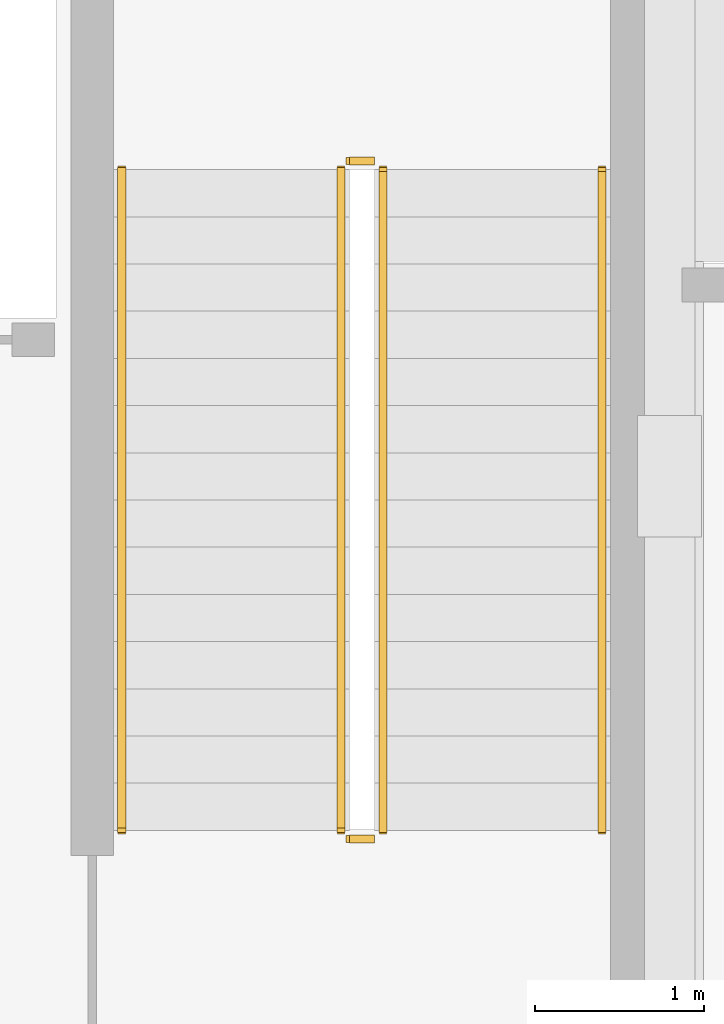
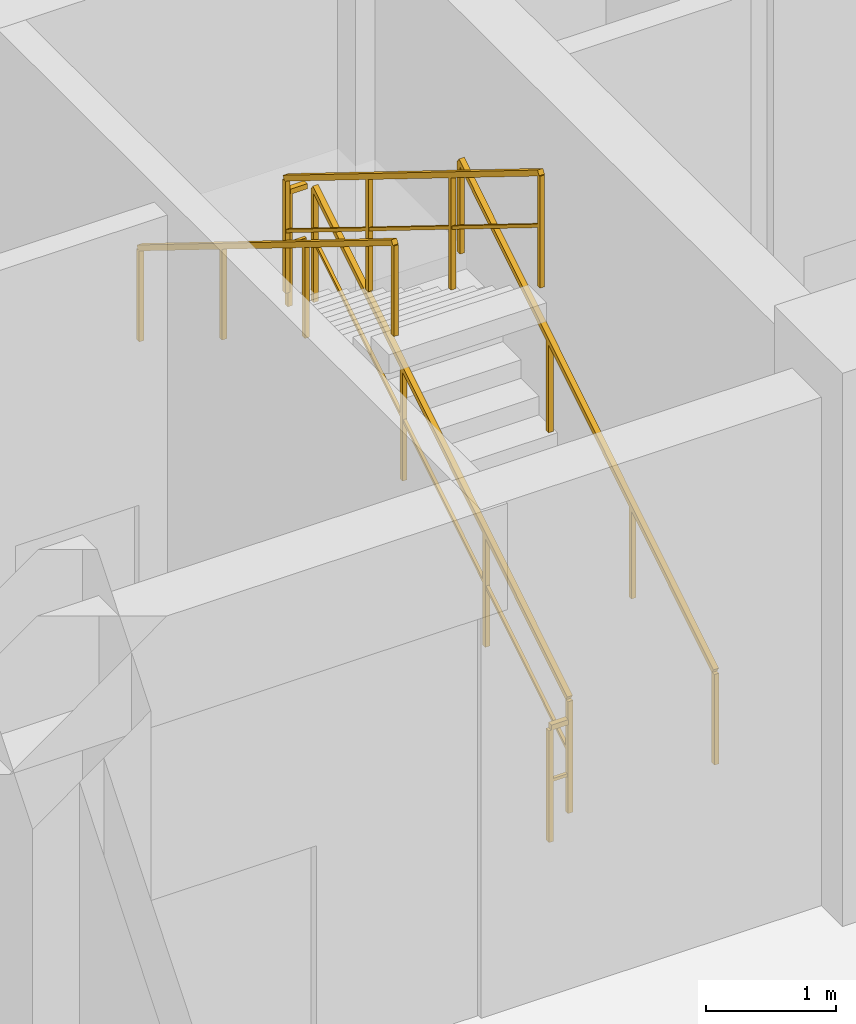
# One storey, part 8 of 10: 6 railings.
"""IFC4 building model written with IfcOpenShell, lengths in metres."""

from ifc_helpers import new_model, si_unit, direction, frame, origin, origin_2d, place, context, subcontext, project, spatial, rectangle, extrude, material, type_object, element, save


model = new_model("IFC4")

# Units and contexts
model_context = context("Model", 3, precision=1e-05, world=origin(), true_north=direction((0.0, 1.0)))
body_context = subcontext(model_context, "Body", "Model", "MODEL_VIEW")
ifc_project = project(units=[si_unit("LENGTHUNIT", "METRE"), si_unit("AREAUNIT", "SQUARE_METRE"), si_unit("VOLUMEUNIT", "CUBIC_METRE"), si_unit("PLANEANGLEUNIT", "RADIAN"), si_unit("MASSUNIT", "GRAM", prefix="KILO")], contexts=[model_context])

# Site, building, storey
site_placement = place(None, origin())
site = spatial("IfcSite", under=ifc_project, at=site_placement, CompositionType="ELEMENT")
building_placement = place(site_placement, origin())
building = spatial("IfcBuilding", under=site, at=building_placement, Name="Kaliganga Portal Commons", CompositionType="ELEMENT")
storey_placement = place(building_placement, frame((0.0, 0.0, 192.0)))
storey = spatial("IfcBuildingStorey", under=building, at=storey_placement, Name="L49", CompositionType="ELEMENT", Elevation=192.0)

# Railings
ifc_material_1 = material(Name="Galvanized Painted Steel Balustrade", Category="steel")
railing_type_1 = type_object("IfcRailingType", Name="RLG-STAIR-GRD", PredefinedType="GUARDRAIL", material=ifc_material_1)
railing_1_placement = place(storey_placement, frame((48.699951171875, 8.699951171875, 0.17333984375)))
element("IfcRailing", 1, at=railing_1_placement, inside=storey, type_object=railing_type_1, Name="L49 ST-B2 stair guard 1", PredefinedType="GUARDRAIL", context=body_context, shape_type="SweptSolid", body=[
    extrude(rectangle(XDim=0.048095703125, YDim=0.048095703125, at=origin_2d()), frame((0.0, 0.0, 1.07177734375), z_axis=(0.0, 0.850266275192, 0.526352791643), x_axis=(-1.0, 0.0, 0.0)), (0.0, 0.0, 1.0), 4.610595703125),
    extrude(rectangle(XDim=0.028076171875, YDim=0.028076171875, at=origin_2d()), frame((0.0, 0.0, 0.572021484375), z_axis=(0.0, 0.850266275192, 0.526352791643), x_axis=(-1.0, 0.0, 0.0)), (0.0, 0.0, 1.0), 4.610595703125),
    extrude(rectangle(XDim=0.0419921875, YDim=0.0419921875, at=origin_2d()), origin(), (0.0, 0.0, 1.0), 1.052001953125),
    extrude(rectangle(XDim=0.0419921875, YDim=0.0419921875, at=origin_2d()), frame((0.0, 1.275390625, 0.78955078125)), (0.0, 0.0, 1.0), 1.052001953125),
    extrude(rectangle(XDim=0.0419921875, YDim=0.0419921875, at=origin_2d()), frame((0.0, 2.55078125, 1.5791015625)), (0.0, 0.0, 1.0), 1.052001953125),
    extrude(rectangle(XDim=0.0419921875, YDim=0.0419921875, at=origin_2d()), frame((0.0, 3.920166015625, 2.4267578125)), (0.0, 0.0, 1.0), 1.052001953125),
])
railing_2_placement = place(storey_placement, frame((48.64990234375, 12.669921875, 2.60009765625)))
element("IfcRailing", 2, at=railing_2_placement, inside=storey, type_object=railing_type_1, Name="L49 ST-B2 stair guard 2", PredefinedType="GUARDRAIL", context=body_context, shape_type="SweptSolid", body=[
    extrude(rectangle(XDim=0.048095703125, YDim=0.048095703125, at=origin_2d()), frame((0.0, 0.0, 1.076171875), z_axis=(-1.0, 0.0, 0.0), x_axis=(0.0, -1.0, 0.0)), (0.0, 0.0, 1.0), 0.14990234375),
    extrude(rectangle(XDim=0.028076171875, YDim=0.028076171875, at=origin_2d()), frame((0.0, 0.0, 0.572021484375), z_axis=(-1.0, 0.0, 0.0), x_axis=(0.0, -1.0, 0.0)), (0.0, 0.0, 1.0), 0.14990234375),
    extrude(rectangle(XDim=0.0419921875, YDim=0.0419921875, at=origin_2d()), frame((-0.14990234375, 0.0, 0.0)), (0.0, 0.0, 1.0), 1.052001953125),
])
railing_3_placement = place(storey_placement, frame((48.449951171875, 12.6201171875, 2.7734375)))
element("IfcRailing", 3, at=railing_3_placement, inside=storey, type_object=railing_type_1, Name="L49 ST-B2 stair guard 3", PredefinedType="GUARDRAIL", context=body_context, shape_type="SweptSolid", body=[
    extrude(rectangle(XDim=0.048095703125, YDim=0.048095703125, at=origin_2d()), frame((0.0, 0.0, 1.07177734375), z_axis=(0.0, -0.850289973577, 0.526314507528), x_axis=(1.0, 0.0, 0.0)), (0.0, 0.0, 1.0), 4.6103515625),
    extrude(rectangle(XDim=0.028076171875, YDim=0.028076171875, at=origin_2d()), frame((0.0, 0.0, 0.572021484375), z_axis=(0.0, -0.850289973577, 0.526314507528), x_axis=(1.0, 0.0, 0.0)), (0.0, 0.0, 1.0), 4.6103515625),
    extrude(rectangle(XDim=0.0419921875, YDim=0.0419921875, at=origin_2d()), origin(), (0.0, 0.0, 1.0), 1.052001953125),
    extrude(rectangle(XDim=0.0419921875, YDim=0.0419921875, at=origin_2d()), frame((0.0, -1.275390625, 0.78955078125)), (0.0, 0.0, 1.0), 1.052001953125),
    extrude(rectangle(XDim=0.0419921875, YDim=0.0419921875, at=origin_2d()), frame((0.0, -2.55078125, 1.578857421875)), (0.0, 0.0, 1.0), 1.052001953125),
    extrude(rectangle(XDim=0.0419921875, YDim=0.0419921875, at=origin_2d()), frame((0.0, -3.920166015625, 2.426513671875)), (0.0, 0.0, 1.0), 1.052001953125),
])
railing_4_placement = place(storey_placement, frame((48.64990234375, 8.64990234375, 0.0)))
element("IfcRailing", 4, at=railing_4_placement, inside=storey, type_object=railing_type_1, Name="L49 ST-B2 stair guard 4", PredefinedType="GUARDRAIL", context=body_context, shape_type="SweptSolid", body=[
    extrude(rectangle(XDim=0.048095703125, YDim=0.048095703125, at=origin_2d()), frame((0.0, 0.0, 1.076171875), z_axis=(-1.0, 0.0, 0.0), x_axis=(0.0, -1.0, 0.0)), (0.0, 0.0, 1.0), 0.14990234375),
    extrude(rectangle(XDim=0.028076171875, YDim=0.028076171875, at=origin_2d()), frame((0.0, 0.0, 0.572021484375), z_axis=(-1.0, 0.0, 0.0), x_axis=(0.0, -1.0, 0.0)), (0.0, 0.0, 1.0), 0.14990234375),
    extrude(rectangle(XDim=0.0419921875, YDim=0.0419921875, at=origin_2d()), frame((-0.14990234375, 0.0, 0.0)), (0.0, 0.0, 1.0), 1.052001953125),
])
ifc_material_2 = material(Name="Brushed Stainless Steel 316", Category="steel")
railing_type_2 = type_object("IfcRailingType", Name="RLG-STAIR-HR", PredefinedType="HANDRAIL", material=ifc_material_2)
railing_5_placement = place(storey_placement, frame((50.0, 8.699951171875, 0.17333984375)))
element("IfcRailing", 5, at=railing_5_placement, inside=storey, type_object=railing_type_2, Name="L49 ST-B2 stair handrail 1", PredefinedType="HANDRAIL", context=body_context, shape_type="SweptSolid", body=[
    extrude(rectangle(XDim=0.048095703125, YDim=0.048095703125, at=origin_2d()), frame((0.0, 0.0, 0.87158203125), z_axis=(0.0, 0.850266275192, 0.526352791643), x_axis=(-1.0, 0.0, 0.0)), (0.0, 0.0, 1.0), 4.610595703125),
    extrude(rectangle(XDim=0.0419921875, YDim=0.0419921875, at=origin_2d()), origin(), (0.0, 0.0, 1.0), 0.851806640625),
    extrude(rectangle(XDim=0.0419921875, YDim=0.0419921875, at=origin_2d()), frame((0.0, 1.275390625, 0.78955078125)), (0.0, 0.0, 1.0), 0.851806640625),
    extrude(rectangle(XDim=0.0419921875, YDim=0.0419921875, at=origin_2d()), frame((0.0, 2.55078125, 1.5791015625)), (0.0, 0.0, 1.0), 0.851806640625),
    extrude(rectangle(XDim=0.0419921875, YDim=0.0419921875, at=origin_2d()), frame((0.0, 3.920166015625, 2.4267578125)), (0.0, 0.0, 1.0), 0.851806640625),
])
railing_6_placement = place(storey_placement, frame((47.14990234375, 12.6201171875, 2.7734375)))
element("IfcRailing", 6, at=railing_6_placement, inside=storey, type_object=railing_type_2, Name="L49 ST-B2 stair handrail 2", PredefinedType="HANDRAIL", context=body_context, shape_type="SweptSolid", body=[
    extrude(rectangle(XDim=0.048095703125, YDim=0.048095703125, at=origin_2d()), frame((0.0, 0.0, 0.87158203125), z_axis=(0.0, -0.850289973577, 0.526314507528), x_axis=(1.0, 0.0, 0.0)), (0.0, 0.0, 1.0), 4.6103515625),
    extrude(rectangle(XDim=0.0419921875, YDim=0.0419921875, at=origin_2d()), origin(), (0.0, 0.0, 1.0), 0.851806640625),
    extrude(rectangle(XDim=0.0419921875, YDim=0.0419921875, at=origin_2d()), frame((0.0, -1.275390625, 0.78955078125)), (0.0, 0.0, 1.0), 0.851806640625),
    extrude(rectangle(XDim=0.0419921875, YDim=0.0419921875, at=origin_2d()), frame((0.0, -2.55078125, 1.578857421875)), (0.0, 0.0, 1.0), 0.851806640625),
    extrude(rectangle(XDim=0.0419921875, YDim=0.0419921875, at=origin_2d()), frame((0.0, -3.920166015625, 2.426513671875)), (0.0, 0.0, 1.0), 0.851806640625),
])

save(model, "model.ifc")
